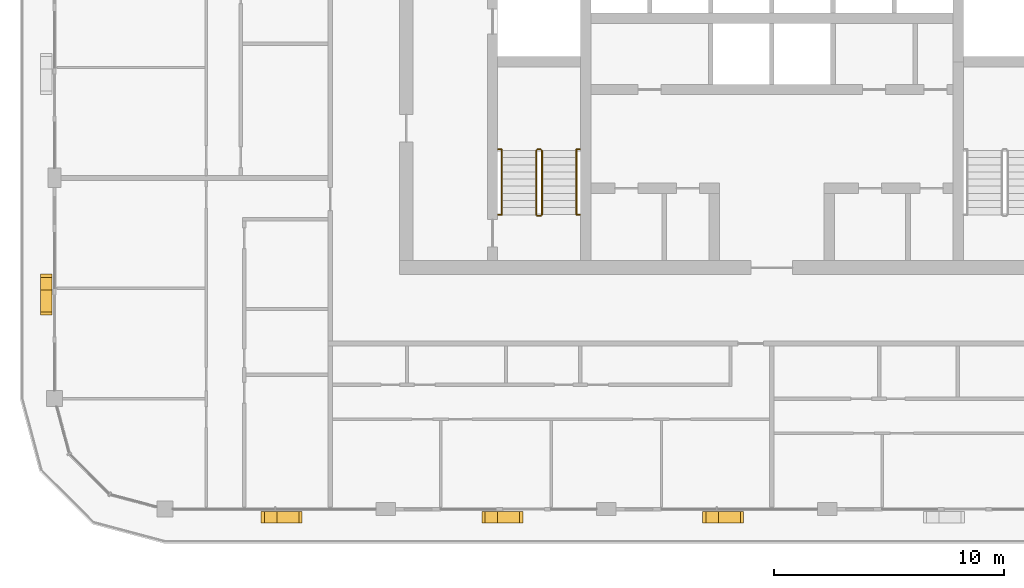
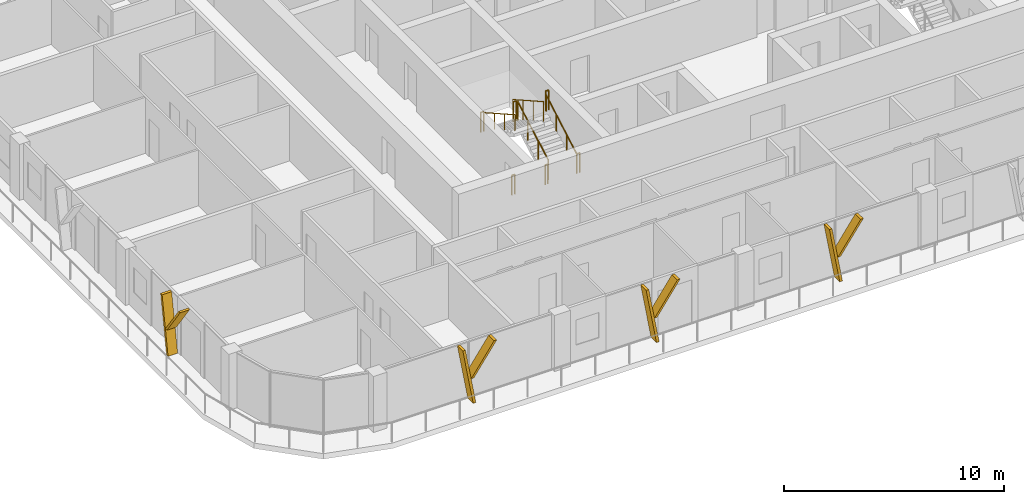
# One storey, part 17 of 22: 10 railings, 8 shading devices.
"""IFC4 building model written with IfcOpenShell, lengths in metres."""

from ifc_helpers import new_model, si_unit, direction, frame, origin, origin_2d, place, context, subcontext, project, spatial, polyline, circle, outline, extrude, material, type_object, element, save


model = new_model("IFC4")

# Units and contexts
model_context = context("Model", 3, precision=1e-05, world=origin(), true_north=direction((0.0, 1.0)))
body_context = subcontext(model_context, "Body", "Model", "MODEL_VIEW")
ifc_project = project(units=[si_unit("LENGTHUNIT", "METRE"), si_unit("AREAUNIT", "SQUARE_METRE"), si_unit("VOLUMEUNIT", "CUBIC_METRE"), si_unit("PLANEANGLEUNIT", "RADIAN"), si_unit("MASSUNIT", "GRAM", prefix="KILO")], contexts=[model_context])

# Site, building, storey
site_placement = place(None, origin())
site = spatial("IfcSite", under=ifc_project, at=site_placement, CompositionType="ELEMENT")
building_placement = place(site_placement, origin())
building = spatial("IfcBuilding", under=site, at=building_placement, Name="Madar Terraces", CompositionType="ELEMENT")
storey_placement = place(building_placement, frame((0.0, 0.0, 259.699951171875)))
storey = spatial("IfcBuildingStorey", under=building, at=storey_placement, Name="L68", CompositionType="ELEMENT", Elevation=259.699951171875)

# Shading devices
ifc_material_1 = material(Name="Aluminium, black anodised", Category="aluminium")
shading_device_type = type_object("IfcShadingDeviceType", Name="Facade fin blade 140 x 500", PredefinedType="USERDEFINED", material=ifc_material_1)
shading_device_1_placement = place(storey_placement, frame((9.530029296875, 4.449951171875, 0.0), z_axis=(0.0, 0.0, 1.0), x_axis=(1.0, 0.0, 0.0)))
element("IfcShadingDevice", 1, at=shading_device_1_placement, inside=storey, type_object=shading_device_type, Name="FIN L68 S1", ObjectType="FIN", PredefinedType="USERDEFINED", context=body_context, shape_type="SweptSolid", body=[
    extrude(outline(polyline([(0.0, 0.0), (0.139892578125, 0.0), (-0.403076171875, 3.080078125), (-0.54296875, 3.080078125), (0.0, 0.0)])), frame((0.0, 0.25, 0.0), z_axis=(0.0, -1.0, 0.0), x_axis=(1.0, 0.0, 0.0)), (0.0, 0.0, 1.0), 0.5),
])
shading_device_2_placement = place(storey_placement, frame((9.425537109375, 4.449951171875, 1.385986328125), z_axis=(0.0, 0.0, 1.0), x_axis=(1.0, 0.0, 0.0)))
element("IfcShadingDevice", 2, at=shading_device_2_placement, inside=storey, type_object=shading_device_type, Name="FIN L68 S1 branch", ObjectType="FIN", PredefinedType="USERDEFINED", context=body_context, shape_type="SweptSolid", body=[
    extrude(outline(polyline([(0.0, 0.0), (0.14013671875, 0.0), (1.34130859375, 1.694091796875), (1.201416015625, 1.694091796875), (0.0, 0.0)])), frame((0.0, 0.25, 0.0), z_axis=(0.0, -1.0, 0.0), x_axis=(1.0, 0.0, 0.0)), (0.0, 0.0, 1.0), 0.5),
])
shading_device_3_placement = place(storey_placement, frame((19.1298828125, 4.449951171875, 0.0), z_axis=(0.0, 0.0, 1.0), x_axis=(1.0, 0.0, 0.0)))
element("IfcShadingDevice", 3, at=shading_device_3_placement, inside=storey, type_object=shading_device_type, Name="FIN L68 S2", ObjectType="FIN", PredefinedType="USERDEFINED", context=body_context, shape_type="SweptSolid", body=[
    extrude(outline(polyline([(0.0, 0.0), (0.14013671875, 0.0), (-0.403076171875, 3.080078125), (-0.54296875, 3.080078125), (0.0, 0.0)])), frame((0.0, 0.25, 0.0), z_axis=(0.0, -1.0, 0.0), x_axis=(1.0, 0.0, 0.0)), (0.0, 0.0, 1.0), 0.5),
])
shading_device_4_placement = place(storey_placement, frame((19.025634765625, 4.449951171875, 1.385986328125), z_axis=(0.0, 0.0, 1.0), x_axis=(1.0, 0.0, 0.0)))
element("IfcShadingDevice", 4, at=shading_device_4_placement, inside=storey, type_object=shading_device_type, Name="FIN L68 S2 branch", ObjectType="FIN", PredefinedType="USERDEFINED", context=body_context, shape_type="SweptSolid", body=[
    extrude(outline(polyline([(0.0, 0.0), (0.139892578125, 0.0), (1.34130859375, 1.694091796875), (1.201416015625, 1.694091796875), (0.0, 0.0)])), frame((0.0, 0.25, 0.0), z_axis=(0.0, -1.0, 0.0), x_axis=(1.0, 0.0, 0.0)), (0.0, 0.0, 1.0), 0.5),
])
shading_device_5_placement = place(storey_placement, frame((28.72998046875, 4.449951171875, 0.0), z_axis=(0.0, 0.0, 1.0), x_axis=(1.0, 0.0, 0.0)))
element("IfcShadingDevice", 5, at=shading_device_5_placement, inside=storey, type_object=shading_device_type, Name="FIN L68 S3", ObjectType="FIN", PredefinedType="USERDEFINED", context=body_context, shape_type="SweptSolid", body=[
    extrude(outline(polyline([(0.0, 0.0), (0.14013671875, 0.0), (-0.403076171875, 3.080078125), (-0.54296875, 3.080078125), (0.0, 0.0)])), frame((0.0, 0.25, 0.0), z_axis=(0.0, -1.0, 0.0), x_axis=(1.0, 0.0, 0.0)), (0.0, 0.0, 1.0), 0.5),
])
shading_device_6_placement = place(storey_placement, frame((28.625732421875, 4.449951171875, 1.385986328125), z_axis=(0.0, 0.0, 1.0), x_axis=(1.0, 0.0, 0.0)))
element("IfcShadingDevice", 6, at=shading_device_6_placement, inside=storey, type_object=shading_device_type, Name="FIN L68 S3 branch", ObjectType="FIN", PredefinedType="USERDEFINED", context=body_context, shape_type="SweptSolid", body=[
    extrude(outline(polyline([(0.0, 0.0), (0.139892578125, 0.0), (1.34130859375, 1.694091796875), (1.201416015625, 1.694091796875), (0.0, 0.0)])), frame((0.0, 0.25, 0.0), z_axis=(0.0, -1.0, 0.0), x_axis=(1.0, 0.0, 0.0)), (0.0, 0.0, 1.0), 0.5),
])
shading_device_7_placement = place(storey_placement, frame((-0.35009765625, 14.469970703125, 0.0), z_axis=(0.0, 0.0, 1.0), x_axis=(0.0, -1.0, 0.0)))
element("IfcShadingDevice", 7, at=shading_device_7_placement, inside=storey, type_object=shading_device_type, Name="FIN L68 W4", ObjectType="FIN", PredefinedType="USERDEFINED", context=body_context, shape_type="SweptSolid", body=[
    extrude(outline(polyline([(0.0, 0.0), (0.139892578125, 0.0), (-0.403076171875, 3.080078125), (-0.54296875, 3.080078125), (0.0, 0.0)])), frame((0.0, 0.25, 0.0), z_axis=(0.0, -1.0, 0.0), x_axis=(1.0, 0.0, 0.0)), (0.0, 0.0, 1.0), 0.5),
])
shading_device_8_placement = place(storey_placement, frame((-0.35009765625, 14.574462890625, 1.385986328125), z_axis=(0.0, 0.0, 1.0), x_axis=(0.0, -1.0, 0.0)))
element("IfcShadingDevice", 8, at=shading_device_8_placement, inside=storey, type_object=shading_device_type, Name="FIN L68 W4 branch", ObjectType="FIN", PredefinedType="USERDEFINED", context=body_context, shape_type="SweptSolid", body=[
    extrude(outline(polyline([(0.0, 0.0), (0.14013671875, 0.0), (1.34130859375, 1.694091796875), (1.201416015625, 1.694091796875), (0.0, 0.0)])), frame((0.0, 0.25, 0.0), z_axis=(0.0, -1.0, 0.0), x_axis=(1.0, 0.0, 0.0)), (0.0, 0.0, 1.0), 0.5),
])

# Railings
ifc_material_2 = material(Name="Stainless steel railing", Category="steel")
railing_type_1 = type_object("IfcRailingType", Name="Stair guard 1100", PredefinedType="GUARDRAIL", material=ifc_material_2)
railing_1_placement = place(storey_placement, frame((21.199951171875, 17.60009765625, 0.175048828125)))
element("IfcRailing", 9, at=railing_1_placement, inside=storey, type_object=railing_type_1, Name="L68 ST1 stair guard 1", PredefinedType="GUARDRAIL", context=body_context, shape_type="SweptSolid", body=[
    extrude(circle(Radius=0.02392578125, at=origin_2d()), frame((0.0, 0.0, 1.076171875), z_axis=(0.0, 0.870815363784, 0.491610213684), x_axis=(-1.0, 0.0, 0.0)), (0.0, 0.0, 1.0), 3.20361328125),
    extrude(circle(Radius=0.02099609375, at=origin_2d()), origin(), (0.0, 0.0, 1.0), 1.052001953125),
    extrude(circle(Radius=0.02099609375, at=origin_2d()), frame((0.0, 0.929931640625, 0.52490234375)), (0.0, 0.0, 1.0), 1.052001953125),
    extrude(circle(Radius=0.02099609375, at=origin_2d()), frame((0.0, 1.85986328125, 1.050048828125)), (0.0, 0.0, 1.0), 1.052001953125),
    extrude(circle(Radius=0.02099609375, at=origin_2d()), frame((0.0, 2.789794921875, 1.574951171875)), (0.0, 0.0, 1.0), 1.052001953125),
])
railing_2_placement = place(storey_placement, frame((21.14990234375, 20.43994140625, 1.75)))
element("IfcRailing", 10, at=railing_2_placement, inside=storey, type_object=railing_type_1, Name="L68 ST1 stair guard 2", PredefinedType="GUARDRAIL", context=body_context, shape_type="SweptSolid", body=[
    extrude(circle(Radius=0.02392578125, at=origin_2d()), frame((0.0, 0.0, 1.076171875), z_axis=(-1.0, 0.0, 0.0), x_axis=(0.0, -1.0, 0.0)), (0.0, 0.0, 1.0), 0.14990234375),
    extrude(circle(Radius=0.02099609375, at=origin_2d()), origin(), (0.0, 0.0, 1.0), 1.052001953125),
    extrude(circle(Radius=0.02099609375, at=origin_2d()), frame((-0.14990234375, 0.0, 0.0)), (0.0, 0.0, 1.0), 1.052001953125),
])
railing_3_placement = place(storey_placement, frame((20.949951171875, 20.389892578125, 1.925048828125)))
element("IfcRailing", 11, at=railing_3_placement, inside=storey, type_object=railing_type_1, Name="L68 ST1 stair guard 3", PredefinedType="GUARDRAIL", context=body_context, shape_type="SweptSolid", body=[
    extrude(circle(Radius=0.02392578125, at=origin_2d()), frame((0.0, 0.0, 1.076171875), z_axis=(0.0, -0.870815363784, 0.491610213684), x_axis=(1.0, 0.0, 0.0)), (0.0, 0.0, 1.0), 3.20361328125),
    extrude(circle(Radius=0.02099609375, at=origin_2d()), origin(), (0.0, 0.0, 1.0), 1.052001953125),
    extrude(circle(Radius=0.02099609375, at=origin_2d()), frame((0.0, -0.929931640625, 0.52490234375)), (0.0, 0.0, 1.0), 1.052001953125),
    extrude(circle(Radius=0.02099609375, at=origin_2d()), frame((0.0, -1.85986328125, 1.050048828125)), (0.0, 0.0, 1.0), 1.052001953125),
    extrude(circle(Radius=0.02099609375, at=origin_2d()), frame((0.0, -2.789794921875, 1.574951171875)), (0.0, 0.0, 1.0), 1.052001953125),
])
railing_4_placement = place(storey_placement, frame((21.14990234375, 17.550048828125, 0.0)))
element("IfcRailing", 12, at=railing_4_placement, inside=storey, type_object=railing_type_1, Name="L68 ST1 stair guard 4", PredefinedType="GUARDRAIL", context=body_context, shape_type="SweptSolid", body=[
    extrude(circle(Radius=0.02392578125, at=origin_2d()), frame((0.0, 0.0, 1.076171875), z_axis=(-1.0, 0.0, 0.0), x_axis=(0.0, -1.0, 0.0)), (0.0, 0.0, 1.0), 0.14990234375),
    extrude(circle(Radius=0.02099609375, at=origin_2d()), origin(), (0.0, 0.0, 1.0), 1.052001953125),
    extrude(circle(Radius=0.02099609375, at=origin_2d()), frame((-0.14990234375, 0.0, 0.0)), (0.0, 0.0, 1.0), 1.052001953125),
])
for number, where, name in (
    (13, (19.294921875, 20.43994140625, 1.75), "L68 stair guard seat 1"),
    (14, (22.699951171875, 20.43994140625, 1.75), "L68 stair guard seat 2"),
    (15, (19.294921875, 17.60009765625, 0.0), "L68 stair guard floor 1"),
    (16, (22.699951171875, 17.60009765625, 0.0), "L68 stair guard floor 2"),
):
    element("IfcRailing", number, at=place(storey_placement, frame(where)), inside=storey, type_object=railing_type_1, Name=name, PredefinedType="GUARDRAIL", context=body_context, shape_type="SweptSolid", body=[
        extrude(circle(Radius=0.02392578125, at=origin_2d()), frame((0.0, 0.0, 1.076171875), z_axis=(1.0, 0.0, 0.0), x_axis=(0.0, 1.0, 0.0)), (0.0, 0.0, 1.0), 0.155029296875),
        extrude(circle(Radius=0.02099609375, at=origin_2d()), origin(), (0.0, 0.0, 1.0), 1.052001953125),
        extrude(circle(Radius=0.02099609375, at=origin_2d()), frame((0.155029296875, 0.0, 0.0)), (0.0, 0.0, 1.0), 1.052001953125),
    ])
ifc_material_3 = material(Name="Stainless steel railing", Category="steel")
railing_type_2 = type_object("IfcRailingType", Name="Stair handrail 900", PredefinedType="HANDRAIL", material=ifc_material_3)
railing_5_placement = place(storey_placement, frame((22.699951171875, 17.60009765625, 0.175048828125)))
element("IfcRailing", 17, at=railing_5_placement, inside=storey, type_object=railing_type_2, Name="L68 ST1 stair handrail 1", PredefinedType="HANDRAIL", context=body_context, shape_type="SweptSolid", body=[
    extrude(circle(Radius=0.02392578125, at=origin_2d()), frame((0.0, 0.0, 0.8759765625), z_axis=(0.0, 0.870815363784, 0.491610213684), x_axis=(-1.0, 0.0, 0.0)), (0.0, 0.0, 1.0), 3.20361328125),
    extrude(circle(Radius=0.02099609375, at=origin_2d()), origin(), (0.0, 0.0, 1.0), 0.851806640625),
    extrude(circle(Radius=0.02099609375, at=origin_2d()), frame((0.0, 0.929931640625, 0.52490234375)), (0.0, 0.0, 1.0), 0.851806640625),
    extrude(circle(Radius=0.02099609375, at=origin_2d()), frame((0.0, 1.85986328125, 1.050048828125)), (0.0, 0.0, 1.0), 0.851806640625),
    extrude(circle(Radius=0.02099609375, at=origin_2d()), frame((0.0, 2.789794921875, 1.574951171875)), (0.0, 0.0, 1.0), 0.851806640625),
])
railing_6_placement = place(storey_placement, frame((19.449951171875, 20.389892578125, 1.925048828125)))
element("IfcRailing", 18, at=railing_6_placement, inside=storey, type_object=railing_type_2, Name="L68 ST1 stair handrail 2", PredefinedType="HANDRAIL", context=body_context, shape_type="SweptSolid", body=[
    extrude(circle(Radius=0.02392578125, at=origin_2d()), frame((0.0, 0.0, 0.8759765625), z_axis=(0.0, -0.870815363784, 0.491610213684), x_axis=(1.0, 0.0, 0.0)), (0.0, 0.0, 1.0), 3.20361328125),
    extrude(circle(Radius=0.02099609375, at=origin_2d()), origin(), (0.0, 0.0, 1.0), 0.851806640625),
    extrude(circle(Radius=0.02099609375, at=origin_2d()), frame((0.0, -0.929931640625, 0.52490234375)), (0.0, 0.0, 1.0), 0.851806640625),
    extrude(circle(Radius=0.02099609375, at=origin_2d()), frame((0.0, -1.85986328125, 1.050048828125)), (0.0, 0.0, 1.0), 0.851806640625),
    extrude(circle(Radius=0.02099609375, at=origin_2d()), frame((0.0, -2.789794921875, 1.574951171875)), (0.0, 0.0, 1.0), 0.851806640625),
])

save(model, "model.ifc")
